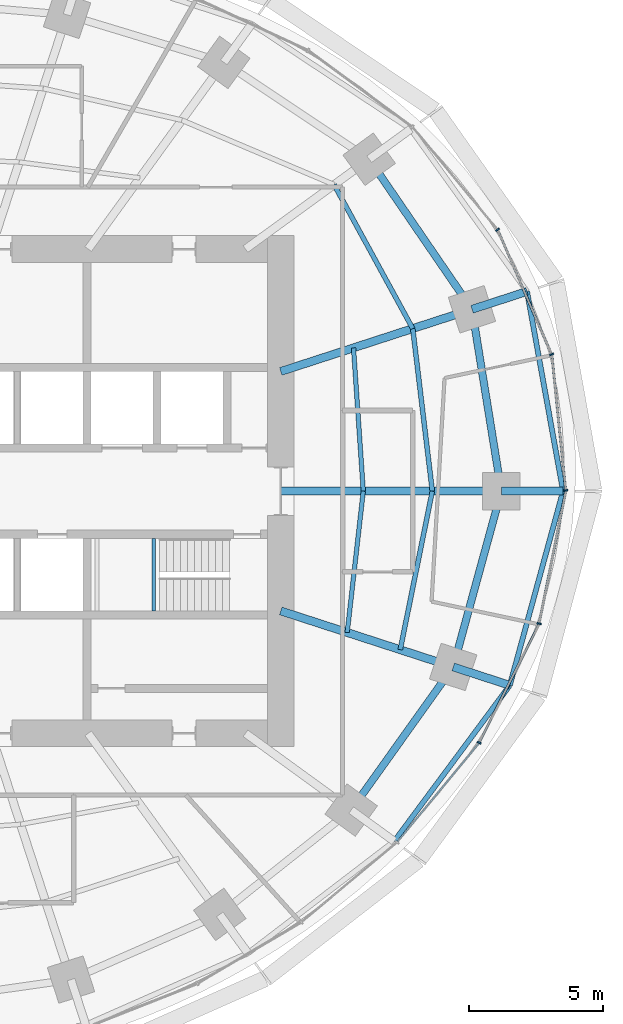
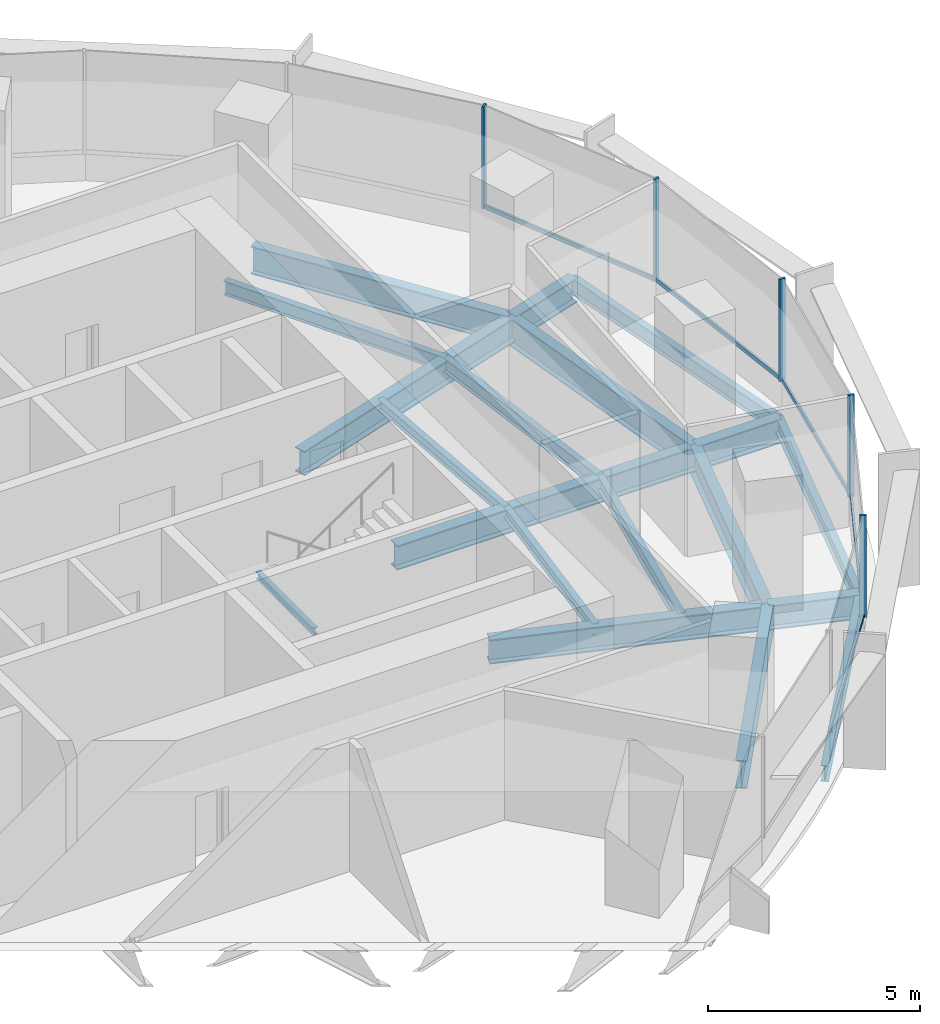
# One storey, part 6 of 14: 19 beams, 10 members, 2 elements without a shape of their own.
"""IFC4 building model written with IfcOpenShell, lengths in metres."""

import ifcopenshell
import ifcopenshell.guid

model = None  # the IFC model being written
_history = None  # IfcOwnerHistory: only IFC2X3 demands one
_inside = {}  # id of a spatial element -> (the spatial element, [elements in it])
_under = {}  # id of a project, library or spatial element -> (it, [spatial elements below it])
_declared = {}  # id of a project -> (the project, [libraries it declares])
_typed = {}  # id of a type object -> (the type object, [elements of that type])
_made_of = {}  # id of a material, layer set ... -> (it, [elements and type objects made of it])


def new_model(schema):
    """Start an empty IFC model of exactly this schema.

    Asked for "IFC4X3", IfcOpenShell would pick the latest addendum, in which some entities
    have other attributes; the version numbers below select the first issue.
    IFC2X3 requires an IfcOwnerHistory on every rooted entity: one is made here for all.
    """
    global model, _history
    if schema == "IFC4X3":
        model = ifcopenshell.file(schema_version=(4, 3, 0, 0))
    else:
        model = ifcopenshell.file(schema=schema)
    _inside.clear()
    _under.clear()
    _declared.clear()
    _typed.clear()
    _made_of.clear()
    _history = None
    if model.schema == "IFC2X3":
        org = make("IfcOrganization", Name="unknown")
        user = make(
            "IfcPersonAndOrganization",
            ThePerson=make("IfcPerson", FamilyName="unknown"),
            TheOrganization=org,
        )
        app = make(
            "IfcApplication",
            ApplicationDeveloper=org,
            Version="unknown",
            ApplicationFullName="unknown",
            ApplicationIdentifier="unknown",
        )
        _history = make(
            "IfcOwnerHistory",
            OwningUser=user,
            OwningApplication=app,
            ChangeAction="ADDED",
            CreationDate=0,
        )
    return model


def make(cls, **values):
    """One entity of the class cls with the attributes given. An attribute that is None is left unset."""
    return model.create_entity(
        cls, **{name: value for name, value in values.items() if value is not None}
    )


def rooted(cls, **values):
    """An entity with a GlobalId (a new one), such as an element, a storey or a relation."""
    return make(cls, GlobalId=ifcopenshell.guid.new(), OwnerHistory=_history, **values)


def si_unit(unit_type, name, prefix=None):
    """IfcSIUnit, for example si_unit("LENGTHUNIT", "METRE", prefix="MILLI")."""
    return make("IfcSIUnit", UnitType=unit_type, Prefix=prefix, Name=name)


def assignment(units):
    """IfcUnitAssignment: the units of a project."""
    return None if units is None else make("IfcUnitAssignment", Units=units)


def point(xyz):
    """IfcCartesianPoint."""
    return None if xyz is None else make("IfcCartesianPoint", Coordinates=xyz)


def direction(xyz):
    """IfcDirection."""
    return None if xyz is None else make("IfcDirection", DirectionRatios=xyz)


def frame(location, z_axis=None, x_axis=None):
    """IfcAxis2Placement3D, a coordinate frame: its origin and axes. An axis left out is left unset."""
    return make(
        "IfcAxis2Placement3D",
        Location=point(location),
        Axis=direction(z_axis),
        RefDirection=direction(x_axis),
    )


def frame_2d(location, x_axis=None):
    """IfcAxis2Placement2D, a coordinate frame in the plane: its origin and x axis."""
    return make(
        "IfcAxis2Placement2D", Location=point(location), RefDirection=direction(x_axis)
    )


def origin():
    """The frame at (0, 0, 0) with its axes left unset."""
    return frame((0.0, 0.0, 0.0))


def origin_2d():
    """The frame at (0, 0) in the plane with its x axis left unset."""
    return frame_2d((0.0, 0.0))


def place(relative_to, where):
    """IfcLocalPlacement: puts the frame where relative to a parent placement (None: the world)."""
    return make(
        "IfcLocalPlacement", PlacementRelTo=relative_to, RelativePlacement=where
    )


def context(
    kind, dimensions, precision=None, world=None, true_north=None, identifier=None
):
    """IfcGeometricRepresentationContext, for example the 3D "Model" context."""
    return make(
        "IfcGeometricRepresentationContext",
        ContextIdentifier=identifier,
        ContextType=kind,
        CoordinateSpaceDimension=dimensions,
        Precision=precision,
        WorldCoordinateSystem=world,
        TrueNorth=true_north,
    )


def subcontext(parent, identifier, kind, view, scale=None):
    """IfcGeometricRepresentationSubContext, for example "Body" below "Model"."""
    return make(
        "IfcGeometricRepresentationSubContext",
        ContextIdentifier=identifier,
        ContextType=kind,
        ParentContext=parent,
        TargetScale=scale,
        TargetView=view,
    )


def project(units=None, contexts=None):
    """IfcProject with its units and contexts."""
    return rooted(
        "IfcProject",
        Name="project",
        RepresentationContexts=contexts,
        UnitsInContext=assignment(units),
    )


def spatial(cls, under=None, at=None, **own):
    """A site, building, storey or space (cls), placed at a placement, below another one or the project."""
    s = rooted(cls, ObjectPlacement=at, **own)
    if under is not None:
        _under.setdefault(under.id(), (under, []))[1].append(s)
    return s


def profile(cls, at=None, kind="AREA", **sizes):
    """A parametric profile (cls). Its sizes go by their IFC names, for example OverallWidth=200.0."""
    return make(cls, ProfileType=kind, Position=at, **sizes)


def rectangle(**sizes):
    """IfcRectangleProfileDef."""
    return profile("IfcRectangleProfileDef", **sizes)


def i_section(**sizes):
    """IfcIShapeProfileDef."""
    return profile("IfcIShapeProfileDef", **sizes)


def extrude(swept, where, along, depth):
    """IfcExtrudedAreaSolid: the profile swept, set in the frame where, extruded along a direction by depth."""
    return make(
        "IfcExtrudedAreaSolid",
        SweptArea=swept,
        Position=where,
        ExtrudedDirection=direction(along),
        Depth=depth,
    )


def shape(context_of_items, identifier, shape_type, items):
    """IfcShapeRepresentation: the items that make up one representation, for example the "Body"."""
    return make(
        "IfcShapeRepresentation",
        ContextOfItems=context_of_items,
        RepresentationIdentifier=identifier,
        RepresentationType=shape_type,
        Items=items,
    )


def material(Name=None, Category=None):
    """IfcMaterial."""
    return make("IfcMaterial", Name=Name, Category=Category)


def material_profile(
    of_material, cross_section, Name=None, Category=None, Priority=None
):
    """IfcMaterialProfile: a cross section and its material."""
    return make(
        "IfcMaterialProfile",
        Name=Name,
        Material=of_material,
        Profile=cross_section,
        Priority=Priority,
        Category=Category,
    )


def profile_set(profiles, Name=None, composite=None):
    """IfcMaterialProfileSet."""
    return make(
        "IfcMaterialProfileSet",
        Name=Name,
        MaterialProfiles=profiles,
        CompositeProfile=composite,
    )


def made_of(thing, what):
    """Note that an element or type object is made of a material, layer set ...; save() writes the relation."""
    if what is not None:
        _made_of.setdefault(what.id(), (what, []))[1].append(thing)
    return thing


def type_object(cls, material=None, **own):
    """A type object (cls), such as IfcWallType, which elements share."""
    return made_of(rooted(cls, **own), material)


def element(
    cls,
    number,
    at=None,
    inside=None,
    cuts=None,
    type_object=None,
    material=None,
    context=None,
    identifier="Body",
    shape_type=None,
    held_by="IfcProductDefinitionShape",
    body=None,
    shapes=None,
    **own,
):
    """One element of the class cls, such as IfcWall. Its Tag is "e" and its number.

    at: its placement. inside: the storey or other place that contains it. cuts: it is an
    opening in that element (IfcRelVoidsElement). A single representation is given by context,
    identifier, shape_type and body (its items); several are given by shapes. held_by: the class
    of the entity that holds the representations. save() writes the other relations.
    """
    e = rooted(cls, Tag="e%d" % number, ObjectPlacement=at, **own)
    if body is not None:
        shapes = [shape(context, identifier, shape_type, body)]
    if shapes is not None:
        e.Representation = make(held_by, Representations=shapes)
    if inside is not None:
        _inside.setdefault(inside.id(), (inside, []))[1].append(e)
    if cuts is not None:
        rooted(
            "IfcRelVoidsElement", RelatingBuildingElement=cuts, RelatedOpeningElement=e
        )
    if type_object is not None:
        _typed.setdefault(type_object.id(), (type_object, []))[1].append(e)
    return made_of(e, material)


def aggregate(whole, parts):
    """IfcRelAggregates: a whole, such as a stair, and the parts it consists of."""
    return rooted("IfcRelAggregates", RelatingObject=whole, RelatedObjects=parts)


def save(model, path):
    """Write the relations noted so far, then the file.

    IfcRelAggregates (storeys below a building ...), IfcRelContainedInSpatialStructure (elements
    in a storey), IfcRelDefinesByType, IfcRelAssociatesMaterial and IfcRelDeclares: one each for
    every whole, place, type object, material and project.
    """
    for whole, parts in _under.values():
        aggregate(whole, parts)
    for where, things in _inside.values():
        rooted(
            "IfcRelContainedInSpatialStructure",
            RelatedElements=things,
            RelatingStructure=where,
        )
    for kind, things in _typed.values():
        rooted("IfcRelDefinesByType", RelatedObjects=things, RelatingType=kind)
    for what, things in _made_of.values():
        rooted("IfcRelAssociatesMaterial", RelatedObjects=things, RelatingMaterial=what)
    for by, libraries in _declared.values():
        rooted("IfcRelDeclares", RelatingContext=by, RelatedDefinitions=libraries)
    model.write(path)


model = new_model("IFC4")

# Units and contexts
model_context = context("Model", 3, precision=1e-05, world=origin(), true_north=direction((0.0, 1.0)))
body_context = subcontext(model_context, "Body", "Model", "MODEL_VIEW")
ifc_project = project(units=[si_unit("LENGTHUNIT", "METRE"), si_unit("AREAUNIT", "SQUARE_METRE"), si_unit("VOLUMEUNIT", "CUBIC_METRE"), si_unit("PLANEANGLEUNIT", "RADIAN"), si_unit("MASSUNIT", "GRAM", prefix="KILO")], contexts=[model_context])

# Site, building, storey
site_placement = place(None, origin())
site = spatial("IfcSite", under=ifc_project, at=site_placement, CompositionType="ELEMENT")
building_placement = place(site_placement, origin())
building = spatial("IfcBuilding", under=site, at=building_placement, Name="Marramba Exchange Tower", CompositionType="ELEMENT")
storey_placement = place(building_placement, frame((0.0, 0.0, 203.300048828125)))
storey = spatial("IfcBuildingStorey", under=building, at=storey_placement, Name="L49", CompositionType="ELEMENT", Elevation=203.300048828125)

# Beams
ifc_material_1 = material(Name="Steel AS/NZS 3679.2 grade 300", Category="steel")
ifc_material_profile_1 = material_profile(ifc_material_1, i_section(OverallWidth=0.300048828125, OverallDepth=0.699951171875, WebThickness=0.010009765625, FlangeThickness=0.031982421875, at=origin_2d()), Name="700WB173")
ifc_profile_set_1 = profile_set([ifc_material_profile_1], Name="Steel AS/NZS 3679.2 grade 300")
beam_type_1 = type_object("IfcBeamType", Name="Cantilever girder 700WB173", PredefinedType="BEAM", material=ifc_profile_set_1)
beam_1_placement = place(storey_placement, frame((21.89990234375, 0.0, -0.510009765625), z_axis=(1.0, 0.0, 0.0), x_axis=(0.0, 1.0, 0.0)))
element("IfcBeam", 1, at=beam_1_placement, inside=storey, type_object=beam_type_1, Name="Cantilever girder L49 TC01", PredefinedType="BEAM", context=body_context, shape_type="SweptSolid", body=[
    extrude(i_section(OverallWidth=0.300048828125, OverallDepth=0.699951171875, WebThickness=0.010009765625, FlangeThickness=0.031982421875, at=origin_2d()), origin(), (0.0, 0.0, 1.0), 2.294189453125),
])
beam_2_placement = place(storey_placement, frame((20.808349609375, 6.760986328125, -0.510009765625), z_axis=(0.951051587859, 0.309032162129, 0.0), x_axis=(-0.309032162129, 0.951051587859, 0.0)))
element("IfcBeam", 2, at=beam_2_placement, inside=storey, type_object=beam_type_1, Name="Cantilever girder L49 TC02", PredefinedType="BEAM", context=body_context, shape_type="SweptSolid", body=[
    extrude(i_section(OverallWidth=0.300048828125, OverallDepth=0.699951171875, WebThickness=0.010009765625, FlangeThickness=0.031982421875, at=origin_2d()), origin(), (0.0, 0.0, 1.0), 2.150390625),
])
beam_3_placement = place(storey_placement, frame((20.109375, -6.533935546875, -0.510009765625), z_axis=(0.951050283347, -0.309036176758, 0.0), x_axis=(0.309036176758, 0.951050283347, 0.0)))
element("IfcBeam", 3, at=beam_3_placement, inside=storey, type_object=beam_type_1, Name="Cantilever girder L49 TC20", PredefinedType="BEAM", context=body_context, shape_type="SweptSolid", body=[
    extrude(i_section(OverallWidth=0.300048828125, OverallDepth=0.699951171875, WebThickness=0.010009765625, FlangeThickness=0.031982421875, at=origin_2d()), origin(), (0.0, 0.0, 1.0), 2.212890625),
])
ifc_material_2 = material(Name="Steel AS/NZS 3679.1 grade 300", Category="steel")
ifc_material_profile_2 = material_profile(ifc_material_2, i_section(OverallWidth=0.166015625, OverallDepth=0.306884765625, WebThickness=0.006591796875, FlangeThickness=0.01171875, FilletRadius=0.011474609375, at=origin_2d()), Name="310UB46.2")
ifc_profile_set_2 = profile_set([ifc_material_profile_2], Name="Steel AS/NZS 3679.1 grade 300")
beam_type_2 = type_object("IfcBeamType", Name="Floor joist 310UB46.2", PredefinedType="JOIST", material=ifc_profile_set_2)
beam_4_placement = place(storey_placement, frame((16.7666015625, 0.0, -0.3134765625), z_axis=(-0.068096259546, 0.99767875563, 0.0), x_axis=(-0.99767875563, -0.068096259546, 0.0)))
element("IfcBeam", 4, at=beam_4_placement, inside=storey, type_object=beam_type_2, Name="Joist L49 bay 01 row 1", PredefinedType="JOIST", context=body_context, shape_type="SweptSolid", body=[
    extrude(i_section(OverallWidth=0.166015625, OverallDepth=0.306884765625, WebThickness=0.006591796875, FlangeThickness=0.01171875, FilletRadius=0.011474609375, at=origin_2d()), origin(), (0.0, 0.0, 1.0), 5.342041015625),
])
beam_5_placement = place(storey_placement, frame((16.169677734375, -5.25390625, -0.3134765625), z_axis=(0.112888968594, 0.993607609054, 0.0), x_axis=(-0.993607609054, 0.112888968594, 0.0)))
element("IfcBeam", 5, at=beam_5_placement, inside=storey, type_object=beam_type_2, Name="Joist L49 bay 20 row 1", PredefinedType="JOIST", context=body_context, shape_type="SweptSolid", body=[
    extrude(i_section(OverallWidth=0.166015625, OverallDepth=0.306884765625, WebThickness=0.006591796875, FlangeThickness=0.01171875, FilletRadius=0.011474609375, at=origin_2d()), origin(), (0.0, 0.0, 1.0), 5.28759765625),
])
ifc_material_profile_3 = material_profile(ifc_material_2, i_section(OverallWidth=0.177978515625, OverallDepth=0.406005859375, WebThickness=0.0078125, FlangeThickness=0.0126953125, FilletRadius=0.011474609375, at=origin_2d()), Name="410UB59.7")
ifc_profile_set_3 = profile_set([ifc_material_profile_3], Name="Steel AS/NZS 3679.1 grade 300")
beam_type_3 = type_object("IfcBeamType", Name="Floor joist 410UB59.7", PredefinedType="JOIST", material=ifc_profile_set_3)
beam_6_placement = place(storey_placement, frame((19.333251953125, 0.0, -0.363037109375), z_axis=(-0.119523078538, 0.992831422597, 0.0), x_axis=(-0.992831422597, -0.119523078538, 0.0)))
element("IfcBeam", 6, at=beam_6_placement, inside=storey, type_object=beam_type_3, Name="Joist L49 bay 01 row 2", PredefinedType="JOIST", context=body_context, shape_type="SweptSolid", body=[
    extrude(i_section(OverallWidth=0.177978515625, OverallDepth=0.406005859375, WebThickness=0.0078125, FlangeThickness=0.0126953125, FilletRadius=0.011474609375, at=origin_2d()), origin(), (0.0, 0.0, 1.0), 6.089111328125),
])
beam_7_placement = place(storey_placement, frame((18.60546875, 6.04541015625, -0.363037109375), z_axis=(-0.479584443791, 0.877495732909, 0.0), x_axis=(-0.877495732909, -0.479584443791, 0.0)))
element("IfcBeam", 7, at=beam_7_placement, inside=storey, type_object=beam_type_3, Name="Joist L49 bay 02 row 2", PredefinedType="JOIST", context=body_context, shape_type="SweptSolid", body=[
    extrude(i_section(OverallWidth=0.177978515625, OverallDepth=0.406005859375, WebThickness=0.0078125, FlangeThickness=0.0126953125, FilletRadius=0.011474609375, at=origin_2d()), origin(), (0.0, 0.0, 1.0), 6.094970703125),
])
beam_8_placement = place(storey_placement, frame((18.1396484375, -5.893798828125, -0.363037109375), z_axis=(0.198489047047, 0.980103105904, 0.0), x_axis=(-0.980103105904, 0.198489047047, 0.0)))
element("IfcBeam", 8, at=beam_8_placement, inside=storey, type_object=beam_type_3, Name="Joist L49 bay 20 row 2", PredefinedType="JOIST", context=body_context, shape_type="SweptSolid", body=[
    extrude(i_section(OverallWidth=0.177978515625, OverallDepth=0.406005859375, WebThickness=0.0078125, FlangeThickness=0.0126953125, FilletRadius=0.011474609375, at=origin_2d()), origin(), (0.0, 0.0, 1.0), 6.013427734375),
])

# Curtain wall, members
ifc_material_3 = material(Name="Aluminium framing, bronze anodised", Category="aluminium")
curtain_wall_type = type_object("IfcCurtainWallType", Name="Office ribbon curtain wall", PredefinedType="USERDEFINED", material=ifc_material_3)
curtain_wall_1_placement = place(storey_placement, origin())
curtain_wall_1 = element("IfcCurtainWall", 9, at=curtain_wall_1_placement, inside=storey, type_object=curtain_wall_type, Name="Curtain wall CW4 L49 F01-F05", ObjectType="RIBBON CURTAIN WALL", PredefinedType="USERDEFINED")
ifc_material_4 = material(Name="Aluminium mullion, bronze anodised", Category="aluminium")
ifc_material_profile_4 = material_profile(ifc_material_4, rectangle(XDim=0.159912109375, YDim=0.06005859375, at=origin_2d()), Name="CW4 mullion 60x160")
ifc_profile_set_4 = profile_set([ifc_material_profile_4], Name="Aluminium mullion, bronze anodised")
member_type_1 = type_object("IfcMemberType", Name="Office ribbon curtain wall mullion", PredefinedType="MULLION", material=ifc_profile_set_4)
member_1_placement = place(storey_placement, frame((24.291015625, 0.02978515625, 0.800048828125), z_axis=(0.0, 0.0, 1.0), x_axis=(-0.994843446001, -0.101422472607, 0.0)))
member_1 = element("IfcMember", 10, at=member_1_placement, type_object=member_type_1, Name="CW4 mullion 1", PredefinedType="MULLION", context=body_context, shape_type="SweptSolid", body=[
    extrude(rectangle(XDim=0.159912109375, YDim=0.06005859375, at=origin_2d()), origin(), (0.0, 0.0, 1.0), 2.93994140625),
])
member_2_placement = place(storey_placement, frame((23.766845703125, 5.081787109375, 0.800048828125), z_axis=(0.0, 0.0, 1.0), x_axis=(-0.918167104527, -0.396193346946, 0.0)))
member_2 = element("IfcMember", 11, at=member_2_placement, type_object=member_type_1, Name="CW4 mullion 1", PredefinedType="MULLION", context=body_context, shape_type="SweptSolid", body=[
    extrude(rectangle(XDim=0.159912109375, YDim=0.06005859375, at=origin_2d()), origin(), (0.0, 0.0, 1.0), 2.93994140625),
])
member_3_placement = place(storey_placement, frame((21.757080078125, 9.718505859375, 0.800048828125), z_axis=(0.0, 0.0, 1.0), x_axis=(-0.770574258342, -0.637350227411, 0.0)))
member_3 = element("IfcMember", 12, at=member_3_placement, type_object=member_type_1, Name="CW4 mullion 1", PredefinedType="MULLION", context=body_context, shape_type="SweptSolid", body=[
    extrude(rectangle(XDim=0.159912109375, YDim=0.06005859375, at=origin_2d()), origin(), (0.0, 0.0, 1.0), 2.93994140625),
])

curtain_wall_2_placement = place(storey_placement, origin())
curtain_wall_2 = element("IfcCurtainWall", 13, at=curtain_wall_2_placement, inside=storey, type_object=curtain_wall_type, Name="Curtain wall CW4 L49 F26-F30", ObjectType="RIBBON CURTAIN WALL", PredefinedType="USERDEFINED")
member_4_placement = place(storey_placement, frame((21.07568359375, -9.3505859375, 0.800048828125), z_axis=(0.0, 0.0, 1.0), x_axis=(-0.892689067591, 0.450673083956, 0.0)))
member_4 = element("IfcMember", 14, at=member_4_placement, type_object=member_type_1, Name="CW4 mullion 1", PredefinedType="MULLION", context=body_context, shape_type="SweptSolid", body=[
    extrude(rectangle(XDim=0.159912109375, YDim=0.06005859375, at=origin_2d()), origin(), (0.0, 0.0, 1.0), 2.93994140625),
])
member_5_placement = place(storey_placement, frame((23.30224609375, -4.92236328125, 0.800048828125), z_axis=(0.0, 0.0, 1.0), x_axis=(-0.980303812539, 0.197495405316, 0.0)))
member_5 = element("IfcMember", 15, at=member_5_placement, type_object=member_type_1, Name="CW4 mullion 1", PredefinedType="MULLION", context=body_context, shape_type="SweptSolid", body=[
    extrude(rectangle(XDim=0.159912109375, YDim=0.06005859375, at=origin_2d()), origin(), (0.0, 0.0, 1.0), 2.93994140625),
])

# Member
ifc_material_5 = material(Name="Aluminium transom, bronze anodised", Category="aluminium")
ifc_material_profile_5 = material_profile(ifc_material_5, rectangle(XDim=0.06005859375, YDim=0.1201171875, at=origin_2d()), Name="CW4 transom 60x120")
ifc_profile_set_5 = profile_set([ifc_material_profile_5], Name="Aluminium transom, bronze anodised")
member_type_2 = type_object("IfcMemberType", Name="Office ribbon curtain wall transom", PredefinedType="USERDEFINED", material=ifc_profile_set_5)
member_6_placement = place(storey_placement, frame((24.287841796875, 0.0595703125, 0.829833984375), z_axis=(-0.101386007846, 0.994847162841, 0.0), x_axis=(-0.994847162841, -0.101386007846, 0.0)))
member_6 = element("IfcMember", 16, at=member_6_placement, type_object=member_type_2, Name="CW4 sill transom", ObjectType="TRANSOM", PredefinedType="USERDEFINED", context=body_context, shape_type="SweptSolid", body=[
    extrude(rectangle(XDim=0.06005859375, YDim=0.1201171875, at=origin_2d()), origin(), (0.0, 0.0, 1.0), 5.020751953125),
])

member_7_placement = place(storey_placement, frame((23.7548828125, 5.109375, 0.829833984375), z_axis=(-0.396177573744, 0.918173910576, 0.0), x_axis=(-0.918173910576, -0.396177573744, 0.0)))
member_7 = element("IfcMember", 17, at=member_7_placement, type_object=member_type_2, Name="CW4 sill transom", ObjectType="TRANSOM", PredefinedType="USERDEFINED", context=body_context, shape_type="SweptSolid", body=[
    extrude(rectangle(XDim=0.06005859375, YDim=0.1201171875, at=origin_2d()), origin(), (0.0, 0.0, 1.0), 4.99462890625),
])

aggregate(curtain_wall_1, [member_1, member_6, member_2, member_7, member_3])

member_8_placement = place(storey_placement, frame((18.03515625, -13.029296875, 0.829833984375), z_axis=(0.638146908901, 0.76991462037, 0.0), x_axis=(-0.76991462037, 0.638146908901, 0.0)))
member_8 = element("IfcMember", 18, at=member_8_placement, type_object=member_type_2, Name="CW4 sill transom", ObjectType="TRANSOM", PredefinedType="USERDEFINED", context=body_context, shape_type="SweptSolid", body=[
    extrude(rectangle(XDim=0.06005859375, YDim=0.1201171875, at=origin_2d()), origin(), (0.0, 0.0, 1.0), 4.7431640625),
])

member_9_placement = place(storey_placement, frame((21.089111328125, -9.323974609375, 0.829833984375), z_axis=(0.450679681949, 0.892685736572, 0.0), x_axis=(-0.892685736572, 0.450679681949, 0.0)))
member_9 = element("IfcMember", 19, at=member_9_placement, type_object=member_type_2, Name="CW4 sill transom", ObjectType="TRANSOM", PredefinedType="USERDEFINED", context=body_context, shape_type="SweptSolid", body=[
    extrude(rectangle(XDim=0.06005859375, YDim=0.1201171875, at=origin_2d()), origin(), (0.0, 0.0, 1.0), 4.897705078125),
])

member_10_placement = place(storey_placement, frame((23.308349609375, -4.89306640625, 0.829833984375), z_axis=(0.197461053167, 0.980310732616, 0.0), x_axis=(-0.980310732616, 0.197461053167, 0.0)))
member_10 = element("IfcMember", 20, at=member_10_placement, type_object=member_type_2, Name="CW4 sill transom", ObjectType="TRANSOM", PredefinedType="USERDEFINED", context=body_context, shape_type="SweptSolid", body=[
    extrude(rectangle(XDim=0.06005859375, YDim=0.1201171875, at=origin_2d()), origin(), (0.0, 0.0, 1.0), 4.991455078125),
])

aggregate(curtain_wall_2, [member_8, member_4, member_9, member_5, member_10])

# Beams
ifc_material_profile_6 = material_profile(ifc_material_1, i_section(OverallWidth=0.300048828125, OverallDepth=0.699951171875, WebThickness=0.010009765625, FlangeThickness=0.031982421875, at=origin_2d()), Name="700WB173")
ifc_profile_set_6 = profile_set([ifc_material_profile_6], Name="Steel AS/NZS 3679.2 grade 300")
beam_type_4 = type_object("IfcBeamType", Name="Radial girder 700WB173", PredefinedType="BEAM", material=ifc_profile_set_6)
beam_9_placement = place(storey_placement, frame((13.699951171875, 0.0, -0.510009765625), z_axis=(1.0, 0.0, 0.0), x_axis=(0.0, 1.0, 0.0)))
element("IfcBeam", 21, at=beam_9_placement, inside=storey, type_object=beam_type_4, Name="Radial girder L49 TC01", PredefinedType="BEAM", context=body_context, shape_type="SweptSolid", body=[
    extrude(i_section(OverallWidth=0.300048828125, OverallDepth=0.699951171875, WebThickness=0.010009765625, FlangeThickness=0.031982421875, at=origin_2d()), origin(), (0.0, 0.0, 1.0), 8.199951171875),
])
beam_10_placement = place(storey_placement, frame((13.699951171875, 4.451416015625, -0.510009765625), z_axis=(0.951059990189, 0.309006302624, 0.0), x_axis=(-0.309006302624, 0.951059990189, 0.0)))
element("IfcBeam", 22, at=beam_10_placement, inside=storey, type_object=beam_type_4, Name="Radial girder L49 TC02", PredefinedType="BEAM", context=body_context, shape_type="SweptSolid", body=[
    extrude(i_section(OverallWidth=0.300048828125, OverallDepth=0.699951171875, WebThickness=0.010009765625, FlangeThickness=0.031982421875, at=origin_2d()), origin(), (0.0, 0.0, 1.0), 7.47412109375),
])
beam_11_placement = place(storey_placement, frame((13.699951171875, -4.451416015625, -0.510009765625), z_axis=(0.951057759669, -0.309013167637, 0.0), x_axis=(0.309013167637, 0.951057759669, 0.0)))
element("IfcBeam", 23, at=beam_11_placement, inside=storey, type_object=beam_type_4, Name="Radial girder L49 TC20", PredefinedType="BEAM", context=body_context, shape_type="SweptSolid", body=[
    extrude(i_section(OverallWidth=0.300048828125, OverallDepth=0.699951171875, WebThickness=0.010009765625, FlangeThickness=0.031982421875, at=origin_2d()), origin(), (0.0, 0.0, 1.0), 6.7392578125),
])
ifc_material_profile_7 = material_profile(ifc_material_1, i_section(OverallWidth=0.27490234375, OverallDepth=0.800048828125, WebThickness=0.010009765625, FlangeThickness=0.02490234375, at=origin_2d()), Name="800WB168")
ifc_profile_set_7 = profile_set([ifc_material_profile_7], Name="Steel AS/NZS 3679.2 grade 300")
beam_type_5 = type_object("IfcBeamType", Name="Ring beam 800WB168", PredefinedType="SPANDREL", material=ifc_profile_set_7)
beam_12_placement = place(storey_placement, frame((21.89990234375, 0.0, -0.56005859375), z_axis=(-0.159384865399, 0.987216523708, 0.0), x_axis=(-0.987216523708, -0.159384865399, 0.0)))
element("IfcBeam", 24, at=beam_12_placement, inside=storey, type_object=beam_type_5, Name="Ring beam L49 TC01-TC02", PredefinedType="SPANDREL", context=body_context, shape_type="SweptSolid", body=[
    extrude(i_section(OverallWidth=0.27490234375, OverallDepth=0.800048828125, WebThickness=0.010009765625, FlangeThickness=0.02490234375, at=origin_2d()), origin(), (0.0, 0.0, 1.0), 6.8486328125),
])
beam_13_placement = place(storey_placement, frame((20.808349609375, 6.760986328125, -0.56005859375), z_axis=(-0.56516002054, 0.824981303535, 0.0), x_axis=(-0.824981303535, -0.56516002054, 0.0)))
element("IfcBeam", 25, at=beam_13_placement, inside=storey, type_object=beam_type_5, Name="Ring beam L49 TC02-TC03", PredefinedType="SPANDREL", context=body_context, shape_type="SweptSolid", body=[
    extrude(i_section(OverallWidth=0.27490234375, OverallDepth=0.800048828125, WebThickness=0.010009765625, FlangeThickness=0.02490234375, at=origin_2d()), origin(), (0.0, 0.0, 1.0), 6.763671875),
])
beam_14_placement = place(storey_placement, frame((16.3154296875, -11.853759765625, -0.56005859375), z_axis=(0.580637181111, 0.814162430914, 0.0), x_axis=(-0.814162430914, 0.580637181111, 0.0)))
element("IfcBeam", 26, at=beam_14_placement, inside=storey, type_object=beam_type_5, Name="Ring beam L49 TC19-TC20", PredefinedType="SPANDREL", context=body_context, shape_type="SweptSolid", body=[
    extrude(i_section(OverallWidth=0.27490234375, OverallDepth=0.800048828125, WebThickness=0.010009765625, FlangeThickness=0.02490234375, at=origin_2d()), origin(), (0.0, 0.0, 1.0), 6.5341796875),
])
beam_15_placement = place(storey_placement, frame((20.109375, -6.533935546875, -0.56005859375), z_axis=(0.264291166956, 0.964442937176, 0.0), x_axis=(-0.964442937176, 0.264291166956, 0.0)))
element("IfcBeam", 27, at=beam_15_placement, inside=storey, type_object=beam_type_5, Name="Ring beam L49 TC20-TC01", PredefinedType="SPANDREL", context=body_context, shape_type="SweptSolid", body=[
    extrude(i_section(OverallWidth=0.27490234375, OverallDepth=0.800048828125, WebThickness=0.010009765625, FlangeThickness=0.02490234375, at=origin_2d()), origin(), (0.0, 0.0, 1.0), 6.77490234375),
])
ifc_material_profile_8 = material_profile(ifc_material_2, i_section(OverallWidth=0.19091796875, OverallDepth=0.4599609375, WebThickness=0.010009765625, FlangeThickness=0.01611328125, FilletRadius=0.011474609375, at=origin_2d()), Name="460UB82.1")
ifc_profile_set_8 = profile_set([ifc_material_profile_8], Name="Steel AS/NZS 3679.1 grade 300")
beam_type_6 = type_object("IfcBeamType", Name="Slab edge beam 460UB82.1", PredefinedType="SPANDREL", material=ifc_profile_set_8)
beam_16_placement = place(storey_placement, frame((24.194091796875, 0.0, -0.39013671875), z_axis=(-0.177663817107, 0.984091239719, 0.0), x_axis=(-0.984091239719, -0.177663817107, 0.0)))
element("IfcBeam", 28, at=beam_16_placement, inside=storey, type_object=beam_type_6, Name="Slab edge beam L49 TC01-TC02", PredefinedType="SPANDREL", context=body_context, shape_type="SweptSolid", body=[
    extrude(i_section(OverallWidth=0.19091796875, OverallDepth=0.4599609375, WebThickness=0.010009765625, FlangeThickness=0.01611328125, FilletRadius=0.011474609375, at=origin_2d()), origin(), (0.0, 0.0, 1.0), 7.545654296875),
])
beam_17_placement = place(storey_placement, frame((17.916015625, -13.016845703125, -0.39013671875), z_axis=(0.595428136035, 0.803408572781, 0.0), x_axis=(-0.803408572781, 0.595428136035, 0.0)))
element("IfcBeam", 29, at=beam_17_placement, inside=storey, type_object=beam_type_6, Name="Slab edge beam L49 TC19-TC20", PredefinedType="SPANDREL", context=body_context, shape_type="SweptSolid", body=[
    extrude(i_section(OverallWidth=0.19091796875, OverallDepth=0.4599609375, WebThickness=0.010009765625, FlangeThickness=0.01611328125, FilletRadius=0.011474609375, at=origin_2d()), origin(), (0.0, 0.0, 1.0), 7.218017578125),
])
beam_18_placement = place(storey_placement, frame((22.2138671875, -7.2177734375, -0.39013671875), z_axis=(0.264577205901, 0.964364506874, 0.0), x_axis=(-0.964364506874, 0.264577205901, 0.0)))
element("IfcBeam", 30, at=beam_18_placement, inside=storey, type_object=beam_type_6, Name="Slab edge beam L49 TC20-TC01", PredefinedType="SPANDREL", context=body_context, shape_type="SweptSolid", body=[
    extrude(i_section(OverallWidth=0.19091796875, OverallDepth=0.4599609375, WebThickness=0.010009765625, FlangeThickness=0.01611328125, FilletRadius=0.011474609375, at=origin_2d()), origin(), (0.0, 0.0, 1.0), 7.484375),
])
ifc_material_profile_9 = material_profile(ifc_material_2, i_section(OverallWidth=0.133056640625, OverallDepth=0.202880859375, WebThickness=0.005859375, FlangeThickness=0.0078125, FilletRadius=0.0087890625, at=origin_2d()), Name="200UB25.4")
ifc_profile_set_9 = profile_set([ifc_material_profile_9], Name="Steel AS/NZS 3679.1 grade 300")
beam_type_7 = type_object("IfcBeamType", Name="Stair landing beam 200UB25.4", PredefinedType="BEAM", material=ifc_profile_set_9)
beam_19_placement = place(storey_placement, frame((8.9833984375, -4.449951171875, 1.6484375), z_axis=(0.0, 1.0, 0.0), x_axis=(-1.0, 0.0, 0.0)))
element("IfcBeam", 31, at=beam_19_placement, inside=storey, type_object=beam_type_7, Name="Stair landing beam SLB1 ST2 L49 2", PredefinedType="BEAM", context=body_context, shape_type="SweptSolid", body=[
    extrude(i_section(OverallWidth=0.133056640625, OverallDepth=0.202880859375, WebThickness=0.005859375, FlangeThickness=0.0078125, FilletRadius=0.0087890625, at=origin_2d()), origin(), (0.0, 0.0, 1.0), 2.699951171875),
])

save(model, "model.ifc")
